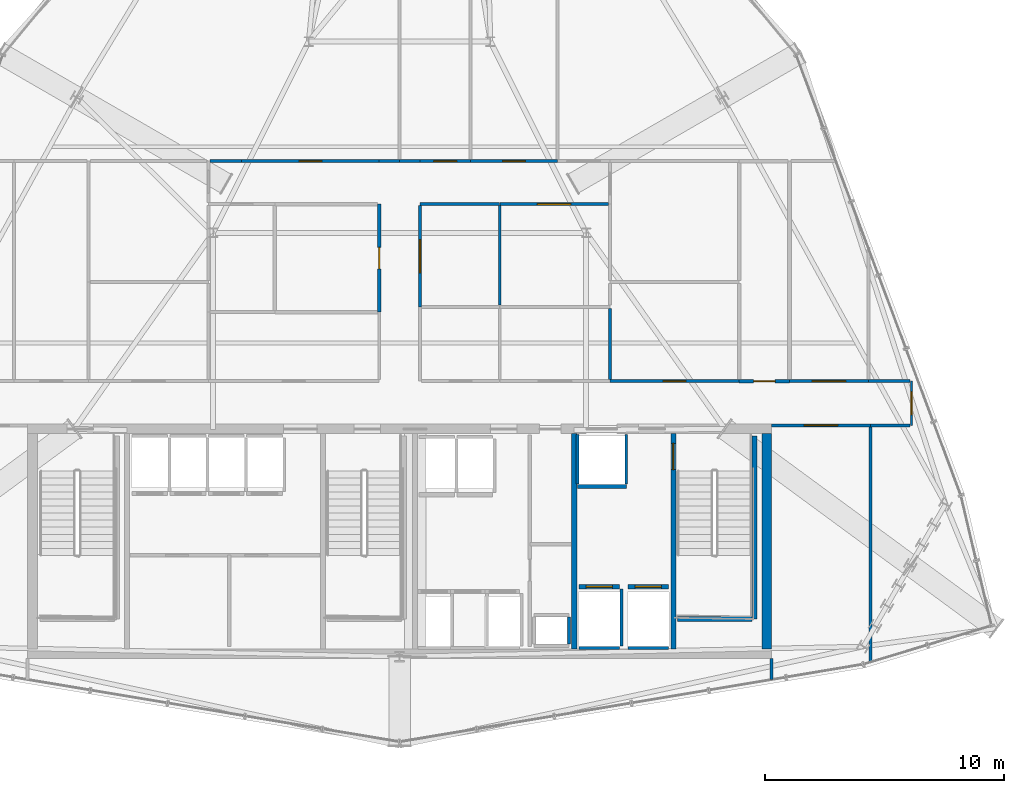
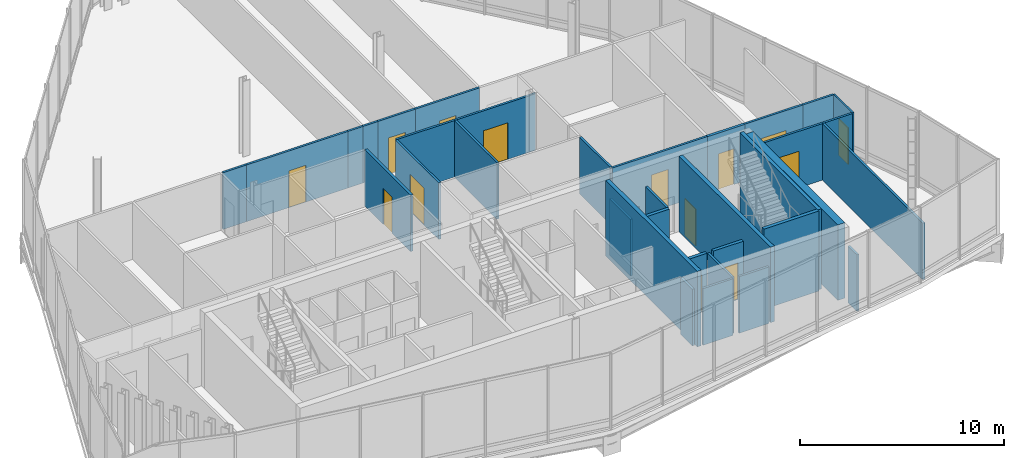
# One storey, part 25 of 29: 35 walls, 14 doors, 14 openings.
"""IFC4 building model written with IfcOpenShell, lengths in metres."""

from ifc_helpers import new_model, si_unit, direction, frame, frame_2d, origin, place, context, subcontext, project, spatial, rectangle, extrude, material, layer, layer_set, type_object, element, fill, save


model = new_model("IFC4")

# Units and contexts
model_context = context("Model", 3, precision=1e-05, world=origin(), true_north=direction((0.0, 1.0)))
body_context = subcontext(model_context, "Body", "Model", "MODEL_VIEW")
ifc_project = project(units=[si_unit("LENGTHUNIT", "METRE"), si_unit("AREAUNIT", "SQUARE_METRE"), si_unit("VOLUMEUNIT", "CUBIC_METRE"), si_unit("PLANEANGLEUNIT", "RADIAN"), si_unit("MASSUNIT", "GRAM", prefix="KILO")], contexts=[model_context])

# Site, building, storey
site_placement = place(None, origin())
site = spatial("IfcSite", under=ifc_project, at=site_placement, CompositionType="ELEMENT")
building_placement = place(site_placement, origin())
building = spatial("IfcBuilding", under=site, at=building_placement, Name="Ndaravel Arena Tower", CompositionType="ELEMENT")
storey_placement = place(building_placement, frame((0.0, 0.0, 208.39990234375)))
storey = spatial("IfcBuildingStorey", under=building, at=storey_placement, Name="L50", CompositionType="ELEMENT", Elevation=208.39990234375)

# Wall
ifc_material_1 = material(Name="Concrete C50/60", Category="concrete")
ifc_layer_1 = layer(ifc_material_1, 0.219970703125)
ifc_layer_set_1 = layer_set([ifc_layer_1], Name="Concrete C50/60")
wall_type_1 = type_object("IfcWallType", Name="WALL-CORE-220", PredefinedType="SOLIDWALL", material=ifc_layer_set_1)
wall_1_placement = place(storey_placement, frame((49.300048828125, 5.800048828125, 0.0), z_axis=(0.0, 0.0, 1.0), x_axis=(0.0, 1.0, 0.0)))
element("IfcWall", 1, at=wall_1_placement, inside=storey, type_object=wall_type_1, Name="L50 Core Web Shear Wall 4", PredefinedType="SOLIDWALL", context=body_context, shape_type="SweptSolid", body=[
    extrude(rectangle(XDim=9.0, YDim=0.219970703125, at=frame_2d((4.5, 0.0))), origin(), (0.0, 0.0, 1.0), 4.52001953125),
])

# Wall, opening, door
wall_2_placement = place(storey_placement, frame((53.449951171875, 5.800048828125, 0.0), z_axis=(0.0, 0.0, 1.0), x_axis=(0.0, 1.0, 0.0)))
wall_2 = element("IfcWall", 2, at=wall_2_placement, inside=storey, type_object=wall_type_1, Name="L50 Core Web Shear Wall 5", PredefinedType="SOLIDWALL", context=body_context, shape_type="SweptSolid", body=[
    extrude(rectangle(XDim=9.0, YDim=0.219970703125, at=frame_2d((4.5, 0.0))), origin(), (0.0, 0.0, 1.0), 4.52001953125),
])
opening_1_placement = place(wall_2_placement, frame((7.5, 0.0, 0.0)))
opening_1 = element("IfcOpeningElement", 3, at=opening_1_placement, cuts=wall_2, Name="Opening FD-01", PredefinedType="OPENING", context=body_context, shape_type="SweptSolid", body=[
    extrude(rectangle(XDim=1.10009765625, YDim=2.199951171875, at=frame_2d((0.550048828125, 1.10009765625))), frame((0.0, 0.10986328125, 0.0), z_axis=(0.0, -1.0, 0.0), x_axis=(1.0, 0.0, 0.0)), (0.0, 0.0, 1.0), 0.219970703125),
])
ifc_material_2 = material(Name="Steel S355", Category="steel")
door_type_1 = type_object("IfcDoorType", Name="DT-01-STAIR-1100", OperationType="SINGLE_SWING_LEFT", PredefinedType="DOOR", material=ifc_material_2)
door_1_placement = place(opening_1_placement, origin())
door_1 = element("IfcDoor", 4, at=door_1_placement, inside=storey, type_object=door_type_1, Name="L50 Firefighting Lobby to ST-3 Door", OperationType="SINGLE_SWING_LEFT", OverallHeight=2.199951171875, OverallWidth=1.10009765625, PredefinedType="DOOR", context=body_context, shape_type="SweptSolid", body=[
    extrude(rectangle(XDim=1.10009765625, YDim=2.199951171875, at=frame_2d((0.550048828125, 1.10009765625))), frame((0.0, 0.02490234375, 0.0), z_axis=(0.0, -1.0, 0.0), x_axis=(1.0, 0.0, 0.0)), (0.0, 0.0, 1.0), 0.050048828125),
])
fill(opening_1, door_1)

# Wall
ifc_material_3 = material(Name="Concrete C50/60", Category="concrete")
ifc_layer_2 = layer(ifc_material_3, 0.39990234375)
ifc_layer_set_2 = layer_set([ifc_layer_2], Name="Concrete C50/60")
wall_type_2 = type_object("IfcWallType", Name="WALL-CORE-400", PredefinedType="SOLIDWALL", material=ifc_layer_set_2)
wall_3_placement = place(storey_placement, frame((57.35009765625, 5.800048828125, 0.0), z_axis=(0.0, 0.0, 1.0), x_axis=(0.0, 1.0, 0.0)))
element("IfcWall", 5, at=wall_3_placement, inside=storey, type_object=wall_type_2, Name="L50 Core East Shear Wall", PredefinedType="SOLIDWALL", context=body_context, shape_type="SweptSolid", body=[
    extrude(rectangle(XDim=9.0, YDim=0.39990234375, at=frame_2d((4.5, 0.0))), origin(), (0.0, 0.0, 1.0), 4.52001953125),
])

# Wall, opening, door
ifc_material_4 = material(Name="Timber", Category="wood")
ifc_layer_3 = layer(ifc_material_4, 0.10009765625)
ifc_layer_set_3 = layer_set([ifc_layer_3], Name="Timber")
wall_type_3 = type_object("IfcWallType", Name="WALL-MOVABLE-100", PredefinedType="MOVABLE", material=ifc_layer_set_3)
wall_4_placement = place(storey_placement, frame((63.406982421875, 17.0, 0.0), z_axis=(0.0, 0.0, 1.0), x_axis=(0.0, -1.0, 0.0)))
wall_4 = element("IfcWall", 6, at=wall_4_placement, inside=storey, type_object=wall_type_3, Name="L50 Interior Partition 001", PredefinedType="MOVABLE", context=body_context, shape_type="SweptSolid", body=[
    extrude(rectangle(XDim=1.85009765625, YDim=0.10009765625, at=frame_2d((0.925048828125, 0.0))), origin(), (0.0, 0.0, 1.0), 3.39013671875),
])
opening_2_placement = place(wall_4_placement, frame((0.449951171875, 0.0, 0.0)))
opening_2 = element("IfcOpeningElement", 7, at=opening_2_placement, cuts=wall_4, Name="Opening ID-01", PredefinedType="OPENING", context=body_context, shape_type="SweptSolid", body=[
    extrude(rectangle(XDim=0.949951171875, YDim=2.199951171875, at=frame_2d((0.47509765625, 1.10009765625))), frame((0.0, 0.050048828125, 0.0), z_axis=(0.0, -1.0, 0.0), x_axis=(1.0, 0.0, 0.0)), (0.0, 0.0, 1.0), 0.10009765625),
])
ifc_material_5 = material(Name="Timber", Category="wood")
door_type_2 = type_object("IfcDoorType", Name="DT-03-OFFICE-950", OperationType="SINGLE_SWING_LEFT", PredefinedType="DOOR", material=ifc_material_5)
door_2_placement = place(opening_2_placement, origin())
door_2 = element("IfcDoor", 8, at=door_2_placement, inside=storey, type_object=door_type_2, Name="L50 Hospitality Sitting Room 2 Door", OperationType="SINGLE_SWING_LEFT", OverallHeight=2.199951171875, OverallWidth=0.949951171875, PredefinedType="DOOR", context=body_context, shape_type="SweptSolid", body=[
    extrude(rectangle(XDim=0.949951171875, YDim=2.199951171875, at=frame_2d((0.47509765625, 1.10009765625))), frame((0.0, 0.02490234375, 0.0), z_axis=(0.0, -1.0, 0.0), x_axis=(1.0, 0.0, 0.0)), (0.0, 0.0, 1.0), 0.050048828125),
])
fill(opening_2, door_2)

# Wall
ifc_material_6 = material(Name="Gypsum", Category="gypsum")
ifc_layer_4 = layer(ifc_material_6, 0.125)
ifc_layer_set_4 = layer_set([ifc_layer_4], Name="Gypsum")
wall_type_4 = type_object("IfcWallType", Name="WALL-PART-125", PredefinedType="PARTITIONING", material=ifc_layer_set_4)
wall_5_placement = place(storey_placement, frame((63.342041015625, 15.14990234375, 0.0), z_axis=(0.0, 0.0, 1.0), x_axis=(-1.0, 0.0, 0.0)))
element("IfcWall", 9, at=wall_5_placement, inside=storey, type_object=wall_type_4, Name="L50 Interior Partition 002", PredefinedType="PARTITIONING", context=body_context, shape_type="SweptSolid", body=[
    extrude(rectangle(XDim=1.64794921875, YDim=0.125, at=frame_2d((0.823974609375, 0.0))), origin(), (0.0, 0.0, 1.0), 3.39013671875),
])

# Wall, opening, door
wall_6_placement = place(storey_placement, frame((61.694091796875, 15.14990234375, 0.0), z_axis=(0.0, 0.0, 1.0), x_axis=(-1.0, 0.0, 0.0)))
wall_6 = element("IfcWall", 10, at=wall_6_placement, inside=storey, type_object=wall_type_4, Name="L50 Interior Partition 003", PredefinedType="PARTITIONING", context=body_context, shape_type="SweptSolid", body=[
    extrude(rectangle(XDim=4.14404296875, YDim=0.125, at=frame_2d((2.072021484375, 0.0))), origin(), (0.0, 0.0, 1.0), 3.39013671875),
])
opening_3_placement = place(wall_6_placement, frame((1.3720703125, 0.0, 0.0)))
opening_3 = element("IfcOpeningElement", 11, at=opening_3_placement, cuts=wall_6, Name="Opening ID-02", PredefinedType="OPENING", context=body_context, shape_type="SweptSolid", body=[
    extrude(rectangle(XDim=1.39990234375, YDim=2.199951171875, at=frame_2d((0.699951171875, 1.10009765625))), frame((0.0, 0.0625, 0.0), z_axis=(0.0, -1.0, 0.0), x_axis=(1.0, 0.0, 0.0)), (0.0, 0.0, 1.0), 0.125),
])
ifc_material_7 = material(Name="Timber", Category="wood")
door_type_3 = type_object("IfcDoorType", Name="DT-04-SUITE-1400", OperationType="DOUBLE_DOOR_SINGLE_SWING", PredefinedType="DOOR", material=ifc_material_7)
door_3_placement = place(opening_3_placement, origin())
door_3 = element("IfcDoor", 12, at=door_3_placement, inside=storey, type_object=door_type_3, Name="L50 Visitor Reception Desk Door", OperationType="SINGLE_SWING_RIGHT", OverallHeight=2.199951171875, OverallWidth=1.39990234375, PredefinedType="DOOR", context=body_context, shape_type="SweptSolid", body=[
    extrude(rectangle(XDim=1.39990234375, YDim=2.199951171875, at=frame_2d((0.699951171875, 1.10009765625))), frame((0.0, 0.02490234375, 0.0), z_axis=(0.0, -1.0, 0.0), x_axis=(1.0, 0.0, 0.0)), (0.0, 0.0, 1.0), 0.050048828125),
])
fill(opening_3, door_3)

# Wall
wall_7_placement = place(storey_placement, frame((34.06494140625, 26.199951171875, 0.0), z_axis=(0.0, 0.0, 1.0), x_axis=(1.0, 0.0, 0.0)))
element("IfcWall", 13, at=wall_7_placement, inside=storey, type_object=wall_type_4, Name="L50 Interior Partition 017", PredefinedType="PARTITIONING", context=body_context, shape_type="SweptSolid", body=[
    extrude(rectangle(XDim=1.3349609375, YDim=0.125, at=frame_2d((0.66748046875, 0.0))), origin(), (0.0, 0.0, 1.0), 3.39013671875),
])

# Wall, opening, door
wall_8_placement = place(storey_placement, frame((35.39990234375, 26.199951171875, 0.0), z_axis=(0.0, 0.0, 1.0), x_axis=(1.0, 0.0, 0.0)))
wall_8 = element("IfcWall", 14, at=wall_8_placement, inside=storey, type_object=wall_type_4, Name="L50 Interior Partition 018", PredefinedType="PARTITIONING", context=body_context, shape_type="SweptSolid", body=[
    extrude(rectangle(XDim=5.75, YDim=0.125, at=frame_2d((2.875, 0.0))), origin(), (0.0, 0.0, 1.0), 3.39013671875),
])
opening_4_placement = place(wall_8_placement, frame((2.39990234375, 0.0, 0.0)))
opening_4 = element("IfcOpeningElement", 15, at=opening_4_placement, cuts=wall_8, Name="Opening ID-01", PredefinedType="OPENING", context=body_context, shape_type="SweptSolid", body=[
    extrude(rectangle(XDim=0.949951171875, YDim=2.199951171875, at=frame_2d((0.47509765625, 1.10009765625))), frame((0.0, 0.0625, 0.0), z_axis=(0.0, -1.0, 0.0), x_axis=(1.0, 0.0, 0.0)), (0.0, 0.0, 1.0), 0.125),
])
door_4_placement = place(opening_4_placement, origin())
door_4 = element("IfcDoor", 16, at=door_4_placement, inside=storey, type_object=door_type_2, Name="L50 Hospitality Sitting Room 10 Door", OperationType="SINGLE_SWING_LEFT", OverallHeight=2.199951171875, OverallWidth=0.949951171875, PredefinedType="DOOR", context=body_context, shape_type="SweptSolid", body=[
    extrude(rectangle(XDim=0.949951171875, YDim=2.199951171875, at=frame_2d((0.47509765625, 1.10009765625))), frame((0.0, 0.02490234375, 0.0), z_axis=(0.0, -1.0, 0.0), x_axis=(1.0, 0.0, 0.0)), (0.0, 0.0, 1.0), 0.050048828125),
])
fill(opening_4, door_4)

# Walls
for number, where, z_axis, x_axis, name in (
    (17, (41.14990234375, 26.199951171875, 0.0), (0.0, 0.0, 1.0), (1.0, 0.0, 0.0), "L50 Interior Partition 019"),
    (18, (42.0, 26.199951171875, 0.0), (0.0, 0.0, 1.0), (1.0, 0.0, 0.0), "L50 Interior Partition 020"),
):
    element("IfcWall", number, at=place(storey_placement, frame(where, z_axis=z_axis, x_axis=x_axis)), inside=storey, type_object=wall_type_4, Name=name, PredefinedType="PARTITIONING", context=body_context, shape_type="SweptSolid", body=[
        extrude(rectangle(XDim=0.85009765625, YDim=0.125, at=frame_2d((0.425048828125, 0.0))), origin(), (0.0, 0.0, 1.0), 3.39013671875),
    ])

# Wall, opening, door
wall_9_placement = place(storey_placement, frame((42.85009765625, 26.199951171875, 0.0), z_axis=(0.0, 0.0, 1.0), x_axis=(1.0, 0.0, 0.0)))
wall_9 = element("IfcWall", 19, at=wall_9_placement, inside=storey, type_object=wall_type_4, Name="L50 Interior Partition 021", PredefinedType="PARTITIONING", context=body_context, shape_type="SweptSolid", body=[
    extrude(rectangle(XDim=2.119873046875, YDim=0.125, at=frame_2d((1.06005859375, 0.0))), origin(), (0.0, 0.0, 1.0), 3.39013671875),
])
opening_5_placement = place(wall_9_placement, frame((0.5849609375, 0.0, 0.0)))
opening_5 = element("IfcOpeningElement", 20, at=opening_5_placement, cuts=wall_9, Name="Opening ID-01", PredefinedType="OPENING", context=body_context, shape_type="SweptSolid", body=[
    extrude(rectangle(XDim=0.949951171875, YDim=2.199951171875, at=frame_2d((0.47509765625, 1.10009765625))), frame((0.0, 0.0625, 0.0), z_axis=(0.0, -1.0, 0.0), x_axis=(1.0, 0.0, 0.0)), (0.0, 0.0, 1.0), 0.125),
])
door_5_placement = place(opening_5_placement, origin())
door_5 = element("IfcDoor", 21, at=door_5_placement, inside=storey, type_object=door_type_2, Name="L50 Quiet Study Room 11 Door", OperationType="SINGLE_SWING_LEFT", OverallHeight=2.199951171875, OverallWidth=0.949951171875, PredefinedType="DOOR", context=body_context, shape_type="SweptSolid", body=[
    extrude(rectangle(XDim=0.949951171875, YDim=2.199951171875, at=frame_2d((0.47509765625, 1.10009765625))), frame((0.0, 0.02490234375, 0.0), z_axis=(0.0, -1.0, 0.0), x_axis=(1.0, 0.0, 0.0)), (0.0, 0.0, 1.0), 0.050048828125),
])
fill(opening_5, door_5)

wall_10_placement = place(storey_placement, frame((44.969970703125, 26.199951171875, 0.0), z_axis=(0.0, 0.0, 1.0), x_axis=(1.0, 0.0, 0.0)))
wall_10 = element("IfcWall", 22, at=wall_10_placement, inside=storey, type_object=wall_type_4, Name="L50 Interior Partition 022", PredefinedType="PARTITIONING", context=body_context, shape_type="SweptSolid", body=[
    extrude(rectangle(XDim=3.630126953125, YDim=0.125, at=frame_2d((1.81494140625, 0.0))), origin(), (0.0, 0.0, 1.0), 3.39013671875),
])
opening_6_placement = place(wall_10_placement, frame((1.340087890625, 0.0, 0.0)))
opening_6 = element("IfcOpeningElement", 23, at=opening_6_placement, cuts=wall_10, Name="Opening ID-01", PredefinedType="OPENING", context=body_context, shape_type="SweptSolid", body=[
    extrude(rectangle(XDim=0.949951171875, YDim=2.199951171875, at=frame_2d((0.47509765625, 1.10009765625))), frame((0.0, 0.0625, 0.0), z_axis=(0.0, -1.0, 0.0), x_axis=(1.0, 0.0, 0.0)), (0.0, 0.0, 1.0), 0.125),
])
door_6_placement = place(opening_6_placement, origin())
door_6 = element("IfcDoor", 24, at=door_6_placement, inside=storey, type_object=door_type_2, Name="L50 Concierge Arrival Salon 10 Door", OperationType="SINGLE_SWING_RIGHT", OverallHeight=2.199951171875, OverallWidth=0.949951171875, PredefinedType="DOOR", context=body_context, shape_type="SweptSolid", body=[
    extrude(rectangle(XDim=0.949951171875, YDim=2.199951171875, at=frame_2d((0.47509765625, 1.10009765625))), frame((0.0, 0.02490234375, 0.0), z_axis=(0.0, -1.0, 0.0), x_axis=(1.0, 0.0, 0.0)), (0.0, 0.0, 1.0), 0.050048828125),
])
fill(opening_6, door_6)

wall_11_placement = place(storey_placement, frame((50.735107421875, 24.39990234375, 0.0), z_axis=(0.0, 0.0, 1.0), x_axis=(-1.0, 0.0, 0.0)))
wall_11 = element("IfcWall", 25, at=wall_11_placement, inside=storey, type_object=wall_type_4, Name="L50 Interior Partition 025", PredefinedType="PARTITIONING", context=body_context, shape_type="SweptSolid", body=[
    extrude(rectangle(XDim=4.546142578125, YDim=0.125, at=frame_2d((2.27294921875, 0.0))), origin(), (0.0, 0.0, 1.0), 3.39013671875),
])
opening_7_placement = place(wall_11_placement, frame((1.572998046875, 0.0, 0.0)))
opening_7 = element("IfcOpeningElement", 26, at=opening_7_placement, cuts=wall_11, Name="Opening ID-02", PredefinedType="OPENING", context=body_context, shape_type="SweptSolid", body=[
    extrude(rectangle(XDim=1.39990234375, YDim=2.199951171875, at=frame_2d((0.699951171875, 1.10009765625))), frame((0.0, 0.0625, 0.0), z_axis=(0.0, -1.0, 0.0), x_axis=(1.0, 0.0, 0.0)), (0.0, 0.0, 1.0), 0.125),
])
door_7_placement = place(opening_7_placement, origin())
door_7 = element("IfcDoor", 27, at=door_7_placement, inside=storey, type_object=door_type_3, Name="L50 Executive Dining Lounge 8 Door", OperationType="SINGLE_SWING_LEFT", OverallHeight=2.199951171875, OverallWidth=1.39990234375, PredefinedType="DOOR", context=body_context, shape_type="SweptSolid", body=[
    extrude(rectangle(XDim=1.39990234375, YDim=2.199951171875, at=frame_2d((0.699951171875, 1.10009765625))), frame((0.0, 0.02490234375, 0.0), z_axis=(0.0, -1.0, 0.0), x_axis=(1.0, 0.0, 0.0)), (0.0, 0.0, 1.0), 0.050048828125),
])
fill(opening_7, door_7)

# Wall
wall_12_placement = place(storey_placement, frame((46.18896484375, 24.39990234375, 0.0), z_axis=(0.0, 0.0, 1.0), x_axis=(-1.0, 0.0, 0.0)))
element("IfcWall", 28, at=wall_12_placement, inside=storey, type_object=wall_type_4, Name="L50 Interior Partition 026", PredefinedType="PARTITIONING", context=body_context, shape_type="SweptSolid", body=[
    extrude(rectangle(XDim=3.3388671875, YDim=0.125, at=frame_2d((1.66943359375, 0.0))), origin(), (0.0, 0.0, 1.0), 3.39013671875),
])

# Wall, opening, door
wall_13_placement = place(storey_placement, frame((42.85009765625, 24.3349609375, 0.0), z_axis=(0.0, 0.0, 1.0), x_axis=(0.0, -1.0, 0.0)))
wall_13 = element("IfcWall", 29, at=wall_13_placement, inside=storey, type_object=wall_type_4, Name="L50 Interior Partition 027", PredefinedType="PARTITIONING", context=body_context, shape_type="SweptSolid", body=[
    extrude(rectangle(XDim=4.22705078125, YDim=0.125, at=frame_2d((2.113525390625, 0.0))), origin(), (0.0, 0.0, 1.0), 3.39013671875),
])
opening_8_placement = place(wall_13_placement, frame((1.41357421875, 0.0, 0.0)))
opening_8 = element("IfcOpeningElement", 30, at=opening_8_placement, cuts=wall_13, Name="Opening ID-02", PredefinedType="OPENING", context=body_context, shape_type="SweptSolid", body=[
    extrude(rectangle(XDim=1.39990234375, YDim=2.199951171875, at=frame_2d((0.699951171875, 1.10009765625))), frame((0.0, 0.0625, 0.0), z_axis=(0.0, -1.0, 0.0), x_axis=(1.0, 0.0, 0.0)), (0.0, 0.0, 1.0), 0.125),
])
door_8_placement = place(opening_8_placement, origin())
door_8 = element("IfcDoor", 31, at=door_8_placement, inside=storey, type_object=door_type_3, Name="L50 Tenant Reception Suite 7 Door", OperationType="SINGLE_SWING_RIGHT", OverallHeight=2.199951171875, OverallWidth=1.39990234375, PredefinedType="DOOR", context=body_context, shape_type="SweptSolid", body=[
    extrude(rectangle(XDim=1.39990234375, YDim=2.199951171875, at=frame_2d((0.699951171875, 1.10009765625))), frame((0.0, 0.02490234375, 0.0), z_axis=(0.0, -1.0, 0.0), x_axis=(1.0, 0.0, 0.0)), (0.0, 0.0, 1.0), 0.050048828125),
])
fill(opening_8, door_8)

wall_14_placement = place(storey_placement, frame((50.800048828125, 17.0, 0.0), z_axis=(0.0, 0.0, 1.0), x_axis=(1.0, 0.0, 0.0)))
wall_14 = element("IfcWall", 32, at=wall_14_placement, inside=storey, type_object=wall_type_4, Name="L50 Interior Partition 031", PredefinedType="PARTITIONING", context=body_context, shape_type="SweptSolid", body=[
    extrude(rectangle(XDim=5.39990234375, YDim=0.125, at=frame_2d((2.699951171875, 0.0))), origin(), (0.0, 0.0, 1.0), 3.39013671875),
])
opening_9_placement = place(wall_14_placement, frame((2.22509765625, 0.0, 0.0)))
opening_9 = element("IfcOpeningElement", 33, at=opening_9_placement, cuts=wall_14, Name="Opening ID-01", PredefinedType="OPENING", context=body_context, shape_type="SweptSolid", body=[
    extrude(rectangle(XDim=0.949951171875, YDim=2.199951171875, at=frame_2d((0.47509765625, 1.10009765625))), frame((0.0, 0.0625, 0.0), z_axis=(0.0, -1.0, 0.0), x_axis=(1.0, 0.0, 0.0)), (0.0, 0.0, 1.0), 0.125),
])
door_9_placement = place(opening_9_placement, origin())
door_9 = element("IfcDoor", 34, at=door_9_placement, inside=storey, type_object=door_type_2, Name="L50 Client Concierge Parlour 4 Door", OperationType="SINGLE_SWING_RIGHT", OverallHeight=2.199951171875, OverallWidth=0.949951171875, PredefinedType="DOOR", context=body_context, shape_type="SweptSolid", body=[
    extrude(rectangle(XDim=0.949951171875, YDim=2.199951171875, at=frame_2d((0.47509765625, 1.10009765625))), frame((0.0, 0.02490234375, 0.0), z_axis=(0.0, -1.0, 0.0), x_axis=(1.0, 0.0, 0.0)), (0.0, 0.0, 1.0), 0.050048828125),
])
fill(opening_9, door_9)

wall_15_placement = place(storey_placement, frame((58.305908203125, 17.0, 0.0), z_axis=(0.0, 0.0, 1.0), x_axis=(1.0, 0.0, 0.0)))
wall_15 = element("IfcWall", 35, at=wall_15_placement, inside=storey, type_object=wall_type_4, Name="L50 Interior Partition 033", PredefinedType="PARTITIONING", context=body_context, shape_type="SweptSolid", body=[
    extrude(rectangle(XDim=3.294189453125, YDim=0.125, at=frame_2d((1.64697265625, 0.0))), origin(), (0.0, 0.0, 1.0), 3.39013671875),
])
opening_10_placement = place(wall_15_placement, frame((0.947021484375, 0.0, 0.0)))
opening_10 = element("IfcOpeningElement", 36, at=opening_10_placement, cuts=wall_15, Name="Opening ID-02", PredefinedType="OPENING", context=body_context, shape_type="SweptSolid", body=[
    extrude(rectangle(XDim=1.39990234375, YDim=2.199951171875, at=frame_2d((0.699951171875, 1.10009765625))), frame((0.0, 0.0625, 0.0), z_axis=(0.0, -1.0, 0.0), x_axis=(1.0, 0.0, 0.0)), (0.0, 0.0, 1.0), 0.125),
])
door_10_placement = place(opening_10_placement, origin())
door_10 = element("IfcDoor", 37, at=door_10_placement, inside=storey, type_object=door_type_3, Name="L50 Visitor Reception Desk 5 Door", OperationType="SINGLE_SWING_RIGHT", OverallHeight=2.199951171875, OverallWidth=1.39990234375, PredefinedType="DOOR", context=body_context, shape_type="SweptSolid", body=[
    extrude(rectangle(XDim=1.39990234375, YDim=2.199951171875, at=frame_2d((0.699951171875, 1.10009765625))), frame((0.0, 0.02490234375, 0.0), z_axis=(0.0, -1.0, 0.0), x_axis=(1.0, 0.0, 0.0)), (0.0, 0.0, 1.0), 0.050048828125),
])
fill(opening_10, door_10)

# Walls
wall_16_placement = place(storey_placement, frame((61.60009765625, 17.0, 0.0), z_axis=(0.0, 0.0, 1.0), x_axis=(1.0, 0.0, 0.0)))
element("IfcWall", 38, at=wall_16_placement, inside=storey, type_object=wall_type_4, Name="L50 Interior Partition 034", PredefinedType="PARTITIONING", context=body_context, shape_type="SweptSolid", body=[
    extrude(rectangle(XDim=1.741943359375, YDim=0.125, at=frame_2d((0.87109375, 0.0))), origin(), (0.0, 0.0, 1.0), 3.39013671875),
])
wall_17_placement = place(storey_placement, frame((57.550048828125, 4.51318359375, 0.0), z_axis=(0.0, 0.0, 1.0), x_axis=(0.0, 1.0, 0.0)))
element("IfcWall", 39, at=wall_17_placement, inside=storey, type_object=wall_type_4, Name="L50 Interior Partition 037", PredefinedType="PARTITIONING", context=body_context, shape_type="SweptSolid", body=[
    extrude(rectangle(XDim=0.884765625, YDim=0.125, at=frame_2d((0.4423828125, 0.0))), origin(), (0.0, 0.0, 1.0), 3.39013671875),
])
wall_18_placement = place(storey_placement, frame((61.694091796875, 15.0849609375, 0.0), z_axis=(0.0, 0.0, 1.0), x_axis=(0.0, -1.0, 0.0)))
element("IfcWall", 40, at=wall_18_placement, inside=storey, type_object=wall_type_4, Name="L50 Interior Partition 038", PredefinedType="PARTITIONING", context=body_context, shape_type="SweptSolid", body=[
    extrude(rectangle(XDim=9.838134765625, YDim=0.125, at=frame_2d((4.9189453125, 0.0))), origin(), (0.0, 0.0, 1.0), 3.39013671875),
])
wall_19_placement = place(storey_placement, frame((50.800048828125, 20.04296875, 0.0), z_axis=(0.0, 0.0, 1.0), x_axis=(0.0, -1.0, 0.0)))
element("IfcWall", 41, at=wall_19_placement, inside=storey, type_object=wall_type_4, Name="L50 Interior Partition 046", PredefinedType="PARTITIONING", context=body_context, shape_type="SweptSolid", body=[
    extrude(rectangle(XDim=2.97802734375, YDim=0.125, at=frame_2d((1.489013671875, 0.0))), origin(), (0.0, 0.0, 1.0), 3.39013671875),
])
wall_20_placement = place(storey_placement, frame((46.18896484375, 24.3349609375, 0.0), z_axis=(0.0, 0.0, 1.0), x_axis=(0.0, -1.0, 0.0)))
element("IfcWall", 42, at=wall_20_placement, inside=storey, type_object=wall_type_4, Name="L50 Interior Partition 065", PredefinedType="PARTITIONING", context=body_context, shape_type="SweptSolid", body=[
    extrude(rectangle(XDim=4.161865234375, YDim=0.125, at=frame_2d((2.0810546875, 0.0))), origin(), (0.0, 0.0, 1.0), 3.39013671875),
])
ifc_material_8 = material(Name="Concrete C40/50", Category="concrete")
ifc_layer_5 = layer(ifc_material_8, 0.1201171875)
ifc_layer_set_5 = layer_set([ifc_layer_5], Name="Concrete C40/50")
wall_type_5 = type_object("IfcWallType", Name="WALL-SHAFT-120", PredefinedType="SOLIDWALL", material=ifc_layer_set_5)
wall_21_placement = place(storey_placement, frame((49.080078125, 6.0, 0.0), z_axis=(0.0, 0.0, 1.0), x_axis=(0.0, 1.0, 0.0)))
element("IfcWall", 43, at=wall_21_placement, inside=storey, type_object=wall_type_5, Name="L50 MEP Riser Shaft E Wall", PredefinedType="SOLIDWALL", context=body_context, shape_type="SweptSolid", body=[
    extrude(rectangle(XDim=1.139892578125, YDim=0.1201171875, at=frame_2d((0.56982421875, 0.0))), origin(), (0.0, 0.0, 1.0), 3.39013671875),
])
wall_22_placement = place(storey_placement, frame((49.5048828125, 5.840087890625, 0.0), z_axis=(0.0, 0.0, 1.0), x_axis=(1.0, 0.0, 0.0)))
element("IfcWall", 44, at=wall_22_placement, inside=storey, type_object=wall_type_5, Name="L50 FFL-1 Shaft Rear Wall", PredefinedType="SOLIDWALL", context=body_context, shape_type="SweptSolid", body=[
    extrude(rectangle(XDim=1.690185546875, YDim=0.1201171875, at=frame_2d((0.84521484375, 0.0))), origin(), (0.0, 0.0, 1.0), 3.39013671875),
])
wall_23_placement = place(storey_placement, frame((51.27490234375, 5.929931640625, 0.0), z_axis=(0.0, 0.0, 1.0), x_axis=(0.0, 1.0, 0.0)))
element("IfcWall", 45, at=wall_23_placement, inside=storey, type_object=wall_type_5, Name="L50 FFL-1 Shaft Side R Wall", PredefinedType="SOLIDWALL", context=body_context, shape_type="SweptSolid", body=[
    extrude(rectangle(XDim=2.380126953125, YDim=0.1201171875, at=frame_2d((1.18994140625, 0.0))), origin(), (0.0, 0.0, 1.0), 3.39013671875),
])
wall_24_placement = place(storey_placement, frame((51.554931640625, 5.840087890625, 0.0), z_axis=(0.0, 0.0, 1.0), x_axis=(1.0, 0.0, 0.0)))
element("IfcWall", 46, at=wall_24_placement, inside=storey, type_object=wall_type_5, Name="L50 FFL-2 Shaft Rear Wall", PredefinedType="SOLIDWALL", context=body_context, shape_type="SweptSolid", body=[
    extrude(rectangle(XDim=1.690185546875, YDim=0.1201171875, at=frame_2d((0.84521484375, 0.0))), origin(), (0.0, 0.0, 1.0), 3.39013671875),
])
for number, where, z_axis, x_axis, name in (
    (47, (49.43994140625, 12.68994140625, 0.0), (0.0, 0.0, 1.0), (0.0, 1.0, 0.0), "L50 SVL-1 Shaft W Wall"),
    (48, (51.47998046875, 12.68994140625, 0.0), (0.0, 0.0, 1.0), (0.0, 1.0, 0.0), "L50 SVL-1 Shaft E Wall"),
):
    element("IfcWall", number, at=place(storey_placement, frame(where, z_axis=z_axis, x_axis=x_axis)), inside=storey, type_object=wall_type_5, Name=name, PredefinedType="SOLIDWALL", context=body_context, shape_type="SweptSolid", body=[
        extrude(rectangle(XDim=2.070068359375, YDim=0.1201171875, at=frame_2d((1.03515625, 0.0))), origin(), (0.0, 0.0, 1.0), 3.39013671875),
    ])
ifc_material_9 = material(Name="Concrete C40/50", Category="concrete")
ifc_layer_6 = layer(ifc_material_9, 0.199951171875)
ifc_layer_set_6 = layer_set([ifc_layer_6], Name="Concrete C40/50")
wall_type_6 = type_object("IfcWallType", Name="WALL-SHAFT-200", PredefinedType="SOLIDWALL", material=ifc_layer_set_6)
wall_25_placement = place(storey_placement, frame((56.840087890625, 14.699951171875, 0.0), z_axis=(0.0, 0.0, 1.0), x_axis=(0.0, -1.0, 0.0)))
element("IfcWall", 49, at=wall_25_placement, inside=storey, type_object=wall_type_6, Name="L50 ST-3 Structural Shaft Wall Right", PredefinedType="SOLIDWALL", context=body_context, shape_type="SweptSolid", body=[
    extrude(rectangle(XDim=7.64990234375, YDim=0.199951171875, at=frame_2d((3.824951171875, 0.0))), origin(), (0.0, 0.0, 1.0), 4.800048828125),
])
wall_26_placement = place(storey_placement, frame((53.6201171875, 7.050048828125, 0.0), z_axis=(0.0, 0.0, 1.0), x_axis=(1.0, 0.0, 0.0)))
element("IfcWall", 50, at=wall_26_placement, inside=storey, type_object=wall_type_6, Name="L50 ST-3 Structural Shaft Wall Far", PredefinedType="SOLIDWALL", context=body_context, shape_type="SweptSolid", body=[
    extrude(rectangle(XDim=3.114990234375, YDim=0.199951171875, at=frame_2d((1.5576171875, 0.0))), origin(), (0.0, 0.0, 1.0), 4.800048828125),
])

# Wall, opening, door
wall_27_placement = place(storey_placement, frame((49.5048828125, 8.39990234375, 0.0), z_axis=(0.0, 0.0, 1.0), x_axis=(1.0, 0.0, 0.0)))
wall_27 = element("IfcWall", 51, at=wall_27_placement, inside=storey, type_object=wall_type_6, Name="L50 FFL-1 Shaft Landing Wall", PredefinedType="SOLIDWALL", context=body_context, shape_type="SweptSolid", body=[
    extrude(rectangle(XDim=1.690185546875, YDim=0.179931640625, at=frame_2d((0.84521484375, 0.0))), origin(), (0.0, 0.0, 1.0), 3.39013671875),
])
opening_11_placement = place(wall_27_placement, frame((0.294921875, 0.0, 0.0)))
opening_11 = element("IfcOpeningElement", 52, at=opening_11_placement, cuts=wall_27, Name="Opening LD-01", PredefinedType="OPENING", context=body_context, shape_type="SweptSolid", body=[
    extrude(rectangle(XDim=1.10009765625, YDim=2.199951171875, at=frame_2d((0.550048828125, 1.10009765625))), frame((0.0, 0.08984375, 0.0), z_axis=(0.0, -1.0, 0.0), x_axis=(1.0, 0.0, 0.0)), (0.0, 0.0, 1.0), 0.179931640625),
])
ifc_material_10 = material(Name="Steel S355", Category="steel")
door_type_4 = type_object("IfcDoorType", Name="DT-06-LIFT-1100", OperationType="SLIDING_TO_LEFT", PredefinedType="DOOR", material=ifc_material_10)
door_11_placement = place(opening_11_placement, origin())
door_11 = element("IfcDoor", 53, at=door_11_placement, inside=storey, type_object=door_type_4, Name="L50 Lift FFL-1 Sliding Landing Door", OperationType="SLIDING_TO_LEFT", OverallHeight=2.199951171875, OverallWidth=1.10009765625, PredefinedType="DOOR", context=body_context, shape_type="SweptSolid", body=[
    extrude(rectangle(XDim=1.10009765625, YDim=2.199951171875, at=frame_2d((0.550048828125, 1.10009765625))), frame((0.0, 0.02490234375, 0.0), z_axis=(0.0, -1.0, 0.0), x_axis=(1.0, 0.0, 0.0)), (0.0, 0.0, 1.0), 0.050048828125),
])
fill(opening_11, door_11)

wall_28_placement = place(storey_placement, frame((51.554931640625, 8.39990234375, 0.0), z_axis=(0.0, 0.0, 1.0), x_axis=(1.0, 0.0, 0.0)))
wall_28 = element("IfcWall", 54, at=wall_28_placement, inside=storey, type_object=wall_type_6, Name="L50 FFL-2 Shaft Landing Wall", PredefinedType="SOLIDWALL", context=body_context, shape_type="SweptSolid", body=[
    extrude(rectangle(XDim=1.690185546875, YDim=0.179931640625, at=frame_2d((0.84521484375, 0.0))), origin(), (0.0, 0.0, 1.0), 3.39013671875),
])
opening_12_placement = place(wall_28_placement, frame((0.294921875, 0.0, 0.0)))
opening_12 = element("IfcOpeningElement", 55, at=opening_12_placement, cuts=wall_28, Name="Opening LD-01", PredefinedType="OPENING", context=body_context, shape_type="SweptSolid", body=[
    extrude(rectangle(XDim=1.10009765625, YDim=2.199951171875, at=frame_2d((0.550048828125, 1.10009765625))), frame((0.0, 0.08984375, 0.0), z_axis=(0.0, -1.0, 0.0), x_axis=(1.0, 0.0, 0.0)), (0.0, 0.0, 1.0), 0.179931640625),
])
door_12_placement = place(opening_12_placement, origin())
door_12 = element("IfcDoor", 56, at=door_12_placement, inside=storey, type_object=door_type_4, Name="L50 Lift FFL-2 Sliding Landing Door", OperationType="SLIDING_TO_LEFT", OverallHeight=2.199951171875, OverallWidth=1.10009765625, PredefinedType="DOOR", context=body_context, shape_type="SweptSolid", body=[
    extrude(rectangle(XDim=1.10009765625, YDim=2.199951171875, at=frame_2d((0.550048828125, 1.10009765625))), frame((0.0, 0.02490234375, 0.0), z_axis=(0.0, -1.0, 0.0), x_axis=(1.0, 0.0, 0.0)), (0.0, 0.0, 1.0), 0.050048828125),
])
fill(opening_12, door_12)

# Wall
wall_29_placement = place(storey_placement, frame((49.43994140625, 12.594970703125, 0.0), z_axis=(0.0, 0.0, 1.0), x_axis=(1.0, 0.0, 0.0)))
element("IfcWall", 57, at=wall_29_placement, inside=storey, type_object=wall_type_6, Name="L50 SVL-1 Shaft South Wall", PredefinedType="SOLIDWALL", context=body_context, shape_type="SweptSolid", body=[
    extrude(rectangle(XDim=2.0400390625, YDim=0.179931640625, at=frame_2d((1.02001953125, 0.0))), origin(), (0.0, 0.0, 1.0), 3.39013671875),
])

# Wall, opening, door
ifc_material_11 = material(Name="Masonry", Category="masonry")
ifc_layer_7 = layer(ifc_material_11, 0.14990234375)
ifc_layer_set_7 = layer_set([ifc_layer_7], Name="Masonry")
wall_type_7 = type_object("IfcWallType", Name="WALL-WET-150", PredefinedType="PARTITIONING", material=ifc_layer_set_7)
wall_30_placement = place(storey_placement, frame((41.14990234375, 19.885986328125, 0.0), z_axis=(0.0, 0.0, 1.0), x_axis=(0.0, 1.0, 0.0)))
wall_30 = element("IfcWall", 58, at=wall_30_placement, inside=storey, type_object=wall_type_7, Name="L50 Interior Partition 013", PredefinedType="PARTITIONING", context=body_context, shape_type="SweptSolid", body=[
    extrude(rectangle(XDim=4.513916015625, YDim=0.14990234375, at=frame_2d((2.2568359375, 0.0))), origin(), (0.0, 0.0, 1.0), 3.39013671875),
])
opening_13_placement = place(wall_30_placement, frame((1.806884765625, 0.0, 0.0)))
opening_13 = element("IfcOpeningElement", 59, at=opening_13_placement, cuts=wall_30, Name="Opening WD-01", PredefinedType="OPENING", context=body_context, shape_type="SweptSolid", body=[
    extrude(rectangle(XDim=0.89990234375, YDim=2.14990234375, at=frame_2d((0.449951171875, 1.074951171875))), frame((0.0, 0.074951171875, 0.0), z_axis=(0.0, -1.0, 0.0), x_axis=(1.0, 0.0, 0.0)), (0.0, 0.0, 1.0), 0.14990234375),
])
ifc_material_12 = material(Name="Timber", Category="wood")
door_type_5 = type_object("IfcDoorType", Name="DT-05-WC-900", OperationType="SINGLE_SWING_LEFT", PredefinedType="DOOR", material=ifc_material_12)
door_13_placement = place(opening_13_placement, origin())
door_13 = element("IfcDoor", 60, at=door_13_placement, inside=storey, type_object=door_type_5, Name="L50 Female & Accessible Restroom Door", OperationType="SINGLE_SWING_LEFT", OverallHeight=2.14990234375, OverallWidth=0.89990234375, PredefinedType="DOOR", context=body_context, shape_type="SweptSolid", body=[
    extrude(rectangle(XDim=0.89990234375, YDim=2.14990234375, at=frame_2d((0.449951171875, 1.074951171875))), frame((0.0, 0.02490234375, 0.0), z_axis=(0.0, -1.0, 0.0), x_axis=(1.0, 0.0, 0.0)), (0.0, 0.0, 1.0), 0.050048828125),
])
fill(opening_13, door_13)

wall_31_placement = place(storey_placement, frame((56.199951171875, 17.0, 0.0), z_axis=(0.0, 0.0, 1.0), x_axis=(1.0, 0.0, 0.0)))
wall_31 = element("IfcWall", 61, at=wall_31_placement, inside=storey, type_object=wall_type_7, Name="L50 Interior Partition 032", PredefinedType="PARTITIONING", context=body_context, shape_type="SweptSolid", body=[
    extrude(rectangle(XDim=2.10595703125, YDim=0.14990234375, at=frame_2d((1.052978515625, 0.0))), origin(), (0.0, 0.0, 1.0), 3.39013671875),
])
opening_14_placement = place(wall_31_placement, frame((0.60302734375, 0.0, 0.0)))
opening_14 = element("IfcOpeningElement", 62, at=opening_14_placement, cuts=wall_31, Name="Opening WD-01", PredefinedType="OPENING", context=body_context, shape_type="SweptSolid", body=[
    extrude(rectangle(XDim=0.89990234375, YDim=2.14990234375, at=frame_2d((0.449951171875, 1.074951171875))), frame((0.0, 0.074951171875, 0.0), z_axis=(0.0, -1.0, 0.0), x_axis=(1.0, 0.0, 0.0)), (0.0, 0.0, 1.0), 0.14990234375),
])
door_14_placement = place(opening_14_placement, origin())
door_14 = element("IfcDoor", 63, at=door_14_placement, inside=storey, type_object=door_type_5, Name="L50 Male Staff & Visitor Restroom Door", OperationType="SINGLE_SWING_LEFT", OverallHeight=2.14990234375, OverallWidth=0.89990234375, PredefinedType="DOOR", context=body_context, shape_type="SweptSolid", body=[
    extrude(rectangle(XDim=0.89990234375, YDim=2.14990234375, at=frame_2d((0.449951171875, 1.074951171875))), frame((0.0, 0.02490234375, 0.0), z_axis=(0.0, -1.0, 0.0), x_axis=(1.0, 0.0, 0.0)), (0.0, 0.0, 1.0), 0.050048828125),
])
fill(opening_14, door_14)

save(model, "model.ifc")
